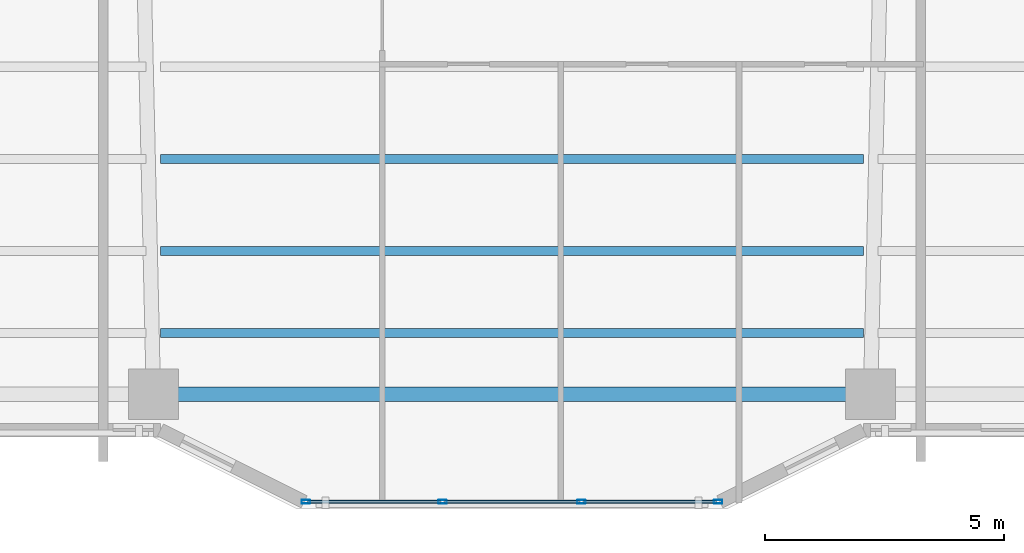
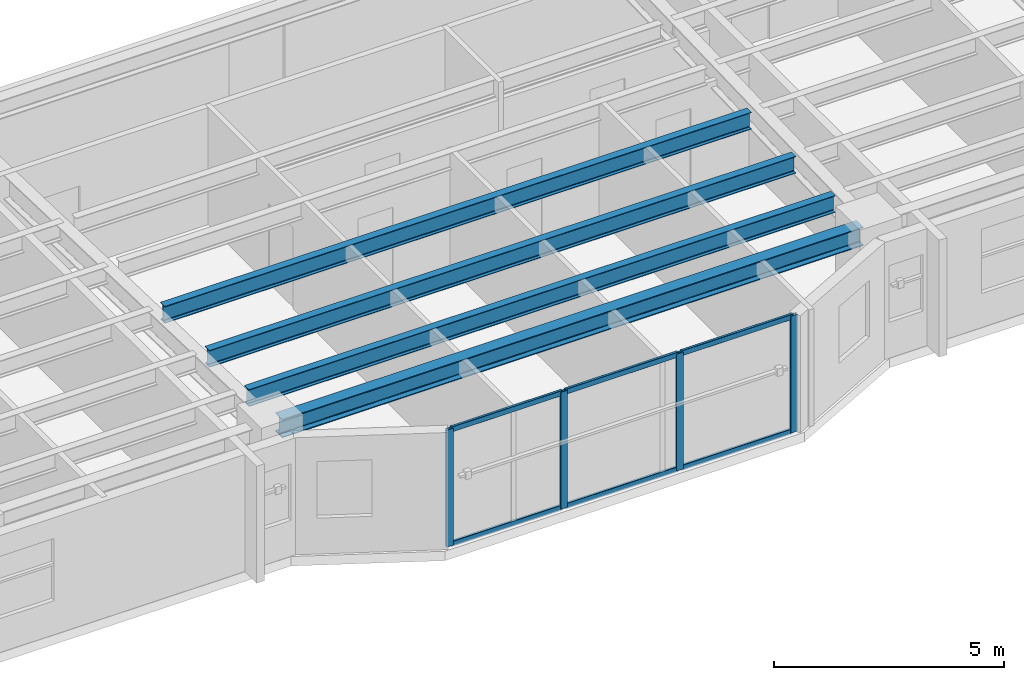
# One storey, part 2 of 18: 10 members, 4 beams, 1 element without a shape of its own.
"""IFC4 building model written with IfcOpenShell, lengths in metres."""

from ifc_helpers import new_model, si_unit, direction, frame, origin, origin_2d, place, context, subcontext, project, spatial, hollow_rectangle, i_section, extrude, material, layer, layer_set, material_profile, profile_set, type_object, element, aggregate, save


model = new_model("IFC4")

# Units and contexts
model_context = context("Model", 3, precision=1e-05, world=origin(), true_north=direction((0.0, 1.0)))
body_context = subcontext(model_context, "Body", "Model", "MODEL_VIEW")
ifc_project = project(units=[si_unit("LENGTHUNIT", "METRE"), si_unit("AREAUNIT", "SQUARE_METRE"), si_unit("VOLUMEUNIT", "CUBIC_METRE"), si_unit("PLANEANGLEUNIT", "RADIAN"), si_unit("MASSUNIT", "GRAM", prefix="KILO")], contexts=[model_context])

# Site, building, storey
site_placement = place(None, origin())
site = spatial("IfcSite", under=ifc_project, at=site_placement, CompositionType="ELEMENT")
building_placement = place(site_placement, origin())
building = spatial("IfcBuilding", under=site, at=building_placement, Name="Tarnavaz Court Tower", CompositionType="ELEMENT")
storey_placement = place(building_placement, frame((0.0, 0.0, 95.050048828125)))
storey = spatial("IfcBuildingStorey", under=building, at=storey_placement, Name="L25", CompositionType="ELEMENT", Elevation=95.050048828125)

# Beams
ifc_material_1 = material(Name="Steel S355", Category="steel")
ifc_material_profile_1 = material_profile(ifc_material_1, i_section(OverallWidth=0.18994140625, OverallDepth=0.449951171875, WebThickness=0.009521484375, FlangeThickness=0.0146484375, FilletRadius=0.02099609375, at=origin_2d()), Name="IPE 450")
ifc_profile_set_1 = profile_set([ifc_material_profile_1], Name="Steel S355")
beam_type_1 = type_object("IfcBeamType", Name="BM-J-IPE450", PredefinedType="JOIST", material=ifc_profile_set_1)
for number, where, z_axis, x_axis, name in (
    (1, (-7.35009765625, -16.3779296875, 2.875), (1.0, 0.0, 0.0), (0.0, 1.0, 0.0), "L25 Beam JS3-2"),
    (2, (-7.35009765625, -18.303955078125, 2.875), (1.0, 0.0, 0.0), (0.0, 1.0, 0.0), "L25 Beam JS4-2"),
    (3, (-7.35009765625, -20.01611328125, 2.875), (1.0, 0.0, 0.0), (0.0, 1.0, 0.0), "L25 Beam JS5-2"),
):
    element("IfcBeam", number, at=place(storey_placement, frame(where, z_axis=z_axis, x_axis=x_axis)), inside=storey, type_object=beam_type_1, Name=name, PredefinedType="JOIST", context=body_context, shape_type="SweptSolid", body=[
        extrude(i_section(OverallWidth=0.18994140625, OverallDepth=0.449951171875, WebThickness=0.009521484375, FlangeThickness=0.0146484375, FilletRadius=0.02099609375, at=origin_2d()), origin(), (0.0, 0.0, 1.0), 14.7001953125),
    ])
ifc_material_profile_2 = material_profile(ifc_material_1, i_section(OverallWidth=0.300048828125, OverallDepth=0.489990234375, WebThickness=0.011962890625, FlangeThickness=0.02294921875, FilletRadius=0.027099609375, at=origin_2d()), Name="HEA 500")
ifc_profile_set_2 = profile_set([ifc_material_profile_2], Name="Steel S355")
beam_type_2 = type_object("IfcBeamType", Name="BM-SP-HEA500", PredefinedType="SPANDREL", material=ifc_profile_set_2)
beam_placement = place(storey_placement, frame((-7.280029296875, -21.300048828125, 2.85498046875), z_axis=(1.0, 0.0, 0.0), x_axis=(0.0, 1.0, 0.0)))
element("IfcBeam", 4, at=beam_placement, inside=storey, type_object=beam_type_2, Name="L25 Beam PR-PS-2-PS-3", PredefinedType="SPANDREL", context=body_context, shape_type="SweptSolid", body=[
    extrude(i_section(OverallWidth=0.300048828125, OverallDepth=0.489990234375, WebThickness=0.011962890625, FlangeThickness=0.02294921875, FilletRadius=0.027099609375, at=origin_2d()), origin(), (0.0, 0.0, 1.0), 14.56005859375),
])

# Curtain wall, members
ifc_material_2 = material(Name="Anodised Aluminium 6063-T6 and Solar Low-E Glazing", Category="aluminium")
ifc_layer = layer(ifc_material_2, 0.179931640625)
ifc_layer_set = layer_set([ifc_layer], Name="Anodised Aluminium 6063-T6 and Solar Low-E Glazing")
curtain_wall_type = type_object("IfcCurtainWallType", Name="CW-SYS-02", PredefinedType="NOTDEFINED", material=ifc_layer_set)
curtain_wall_placement = place(storey_placement, origin())
curtain_wall = element("IfcCurtainWall", 5, at=curtain_wall_placement, inside=storey, type_object=curtain_wall_type, Name="L25 Iwan Prow Curtain Wall 17", PredefinedType="NOTDEFINED")
ifc_material_3 = material(Name="Anodised Aluminium 6063-T6", Category="aluminium")
ifc_material_profile_3 = material_profile(ifc_material_3, hollow_rectangle(XDim=0.074951171875, YDim=0.179931640625, WallThickness=0.0048828125, InnerFilletRadius=0.0048828125, OuterFilletRadius=0.010009765625, at=origin_2d()), Name="ALU RHS 180X75X5")
ifc_profile_set_3 = profile_set([ifc_material_profile_3], Name="Anodised Aluminium 6063-T6")
member_type_1 = type_object("IfcMemberType", Name="CW-MUL-180", PredefinedType="MULLION", material=ifc_profile_set_3)
member_1_placement = place(storey_placement, frame((4.3125, -23.550048828125, 0.0), z_axis=(0.0, 0.0, 1.0), x_axis=(0.0, -1.0, 0.0)))
member_1 = element("IfcMember", 6, at=member_1_placement, type_object=member_type_1, Name="CW mullion 1", PredefinedType="MULLION", context=body_context, shape_type="SweptSolid", body=[
    extrude(hollow_rectangle(XDim=0.074951171875, YDim=0.179931640625, WallThickness=0.0048828125, InnerFilletRadius=0.0048828125, OuterFilletRadius=0.010009765625, at=origin_2d()), origin(), (0.0, 0.0, 1.0), 3.099853515625),
])
member_2_placement = place(storey_placement, frame((1.449951171875, -23.550048828125, 0.0), z_axis=(0.0, 0.0, 1.0), x_axis=(0.0, -1.0, 0.0)))
member_2 = element("IfcMember", 7, at=member_2_placement, type_object=member_type_1, Name="CW mullion 2", PredefinedType="MULLION", context=body_context, shape_type="SweptSolid", body=[
    extrude(hollow_rectangle(XDim=0.074951171875, YDim=0.179931640625, WallThickness=0.0048828125, InnerFilletRadius=0.0048828125, OuterFilletRadius=0.010009765625, at=origin_2d()), origin(), (0.0, 0.0, 1.0), 3.099853515625),
])
member_3_placement = place(storey_placement, frame((-1.449951171875, -23.550048828125, 0.0), z_axis=(0.0, 0.0, 1.0), x_axis=(0.0, -1.0, 0.0)))
member_3 = element("IfcMember", 8, at=member_3_placement, type_object=member_type_1, Name="CW mullion 3", PredefinedType="MULLION", context=body_context, shape_type="SweptSolid", body=[
    extrude(hollow_rectangle(XDim=0.074951171875, YDim=0.179931640625, WallThickness=0.0048828125, InnerFilletRadius=0.0048828125, OuterFilletRadius=0.010009765625, at=origin_2d()), origin(), (0.0, 0.0, 1.0), 3.099853515625),
])
member_4_placement = place(storey_placement, frame((-4.3125, -23.550048828125, 0.0), z_axis=(0.0, 0.0, 1.0), x_axis=(0.0, -1.0, 0.0)))
member_4 = element("IfcMember", 9, at=member_4_placement, type_object=member_type_1, Name="CW mullion 4", PredefinedType="MULLION", context=body_context, shape_type="SweptSolid", body=[
    extrude(hollow_rectangle(XDim=0.074951171875, YDim=0.179931640625, WallThickness=0.0048828125, InnerFilletRadius=0.0048828125, OuterFilletRadius=0.010009765625, at=origin_2d()), origin(), (0.0, 0.0, 1.0), 3.099853515625),
])
ifc_material_profile_4 = material_profile(ifc_material_3, hollow_rectangle(XDim=0.06494140625, YDim=0.139892578125, WallThickness=0.00390625, InnerFilletRadius=0.00390625, OuterFilletRadius=0.008056640625, at=origin_2d()), Name="ALU RHS 140X65X4")
ifc_profile_set_4 = profile_set([ifc_material_profile_4], Name="Anodised Aluminium 6063-T6")
member_type_2 = type_object("IfcMemberType", Name="CW-TRN-140", PredefinedType="USERDEFINED", material=ifc_profile_set_4)
member_5_placement = place(storey_placement, frame((4.27490234375, -23.550048828125, 0.032470703125), z_axis=(-1.0, 0.0, 0.0), x_axis=(0.0, -1.0, 0.0)))
member_5 = element("IfcMember", 10, at=member_5_placement, type_object=member_type_2, Name="CW transom 1.1", ObjectType="TRANSOM", PredefinedType="USERDEFINED", context=body_context, shape_type="SweptSolid", body=[
    extrude(hollow_rectangle(XDim=0.06494140625, YDim=0.139892578125, WallThickness=0.00390625, InnerFilletRadius=0.00390625, OuterFilletRadius=0.008056640625, at=origin_2d()), origin(), (0.0, 0.0, 1.0), 2.787353515625),
])
member_6_placement = place(storey_placement, frame((4.27490234375, -23.550048828125, 3.0673828125), z_axis=(-1.0, 0.0, 0.0), x_axis=(0.0, -1.0, 0.0)))
member_6 = element("IfcMember", 11, at=member_6_placement, type_object=member_type_2, Name="CW transom 1.2", ObjectType="TRANSOM", PredefinedType="USERDEFINED", context=body_context, shape_type="SweptSolid", body=[
    extrude(hollow_rectangle(XDim=0.06494140625, YDim=0.139892578125, WallThickness=0.00390625, InnerFilletRadius=0.00390625, OuterFilletRadius=0.008056640625, at=origin_2d()), origin(), (0.0, 0.0, 1.0), 2.787353515625),
])
member_7_placement = place(storey_placement, frame((1.41259765625, -23.550048828125, 0.032470703125), z_axis=(-1.0, 0.0, 0.0), x_axis=(0.0, -1.0, 0.0)))
member_7 = element("IfcMember", 12, at=member_7_placement, type_object=member_type_2, Name="CW transom 2.1", ObjectType="TRANSOM", PredefinedType="USERDEFINED", context=body_context, shape_type="SweptSolid", body=[
    extrude(hollow_rectangle(XDim=0.06494140625, YDim=0.139892578125, WallThickness=0.00390625, InnerFilletRadius=0.00390625, OuterFilletRadius=0.008056640625, at=origin_2d()), origin(), (0.0, 0.0, 1.0), 2.8251953125),
])
member_8_placement = place(storey_placement, frame((1.41259765625, -23.550048828125, 3.0673828125), z_axis=(-1.0, 0.0, 0.0), x_axis=(0.0, -1.0, 0.0)))
member_8 = element("IfcMember", 13, at=member_8_placement, type_object=member_type_2, Name="CW transom 2.2", ObjectType="TRANSOM", PredefinedType="USERDEFINED", context=body_context, shape_type="SweptSolid", body=[
    extrude(hollow_rectangle(XDim=0.06494140625, YDim=0.139892578125, WallThickness=0.00390625, InnerFilletRadius=0.00390625, OuterFilletRadius=0.008056640625, at=origin_2d()), origin(), (0.0, 0.0, 1.0), 2.8251953125),
])
member_9_placement = place(storey_placement, frame((-1.487548828125, -23.550048828125, 0.032470703125), z_axis=(-1.0, 0.0, 0.0), x_axis=(0.0, -1.0, 0.0)))
member_9 = element("IfcMember", 14, at=member_9_placement, type_object=member_type_2, Name="CW transom 3.1", ObjectType="TRANSOM", PredefinedType="USERDEFINED", context=body_context, shape_type="SweptSolid", body=[
    extrude(hollow_rectangle(XDim=0.06494140625, YDim=0.139892578125, WallThickness=0.00390625, InnerFilletRadius=0.00390625, OuterFilletRadius=0.008056640625, at=origin_2d()), origin(), (0.0, 0.0, 1.0), 2.787353515625),
])
member_10_placement = place(storey_placement, frame((-1.487548828125, -23.550048828125, 3.0673828125), z_axis=(-1.0, 0.0, 0.0), x_axis=(0.0, -1.0, 0.0)))
member_10 = element("IfcMember", 15, at=member_10_placement, type_object=member_type_2, Name="CW transom 3.2", ObjectType="TRANSOM", PredefinedType="USERDEFINED", context=body_context, shape_type="SweptSolid", body=[
    extrude(hollow_rectangle(XDim=0.06494140625, YDim=0.139892578125, WallThickness=0.00390625, InnerFilletRadius=0.00390625, OuterFilletRadius=0.008056640625, at=origin_2d()), origin(), (0.0, 0.0, 1.0), 2.787353515625),
])
aggregate(curtain_wall, [member_1, member_2, member_3, member_4, member_5, member_6, member_7, member_8, member_9, member_10])

save(model, "model.ifc")
